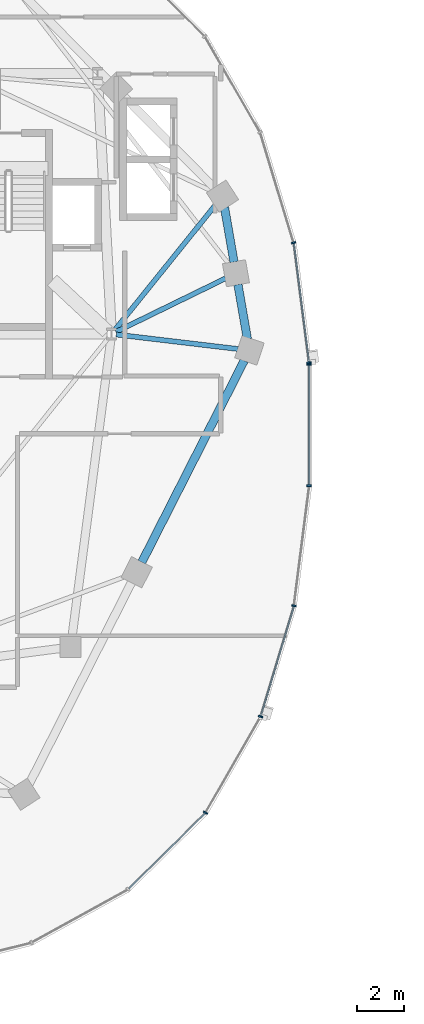
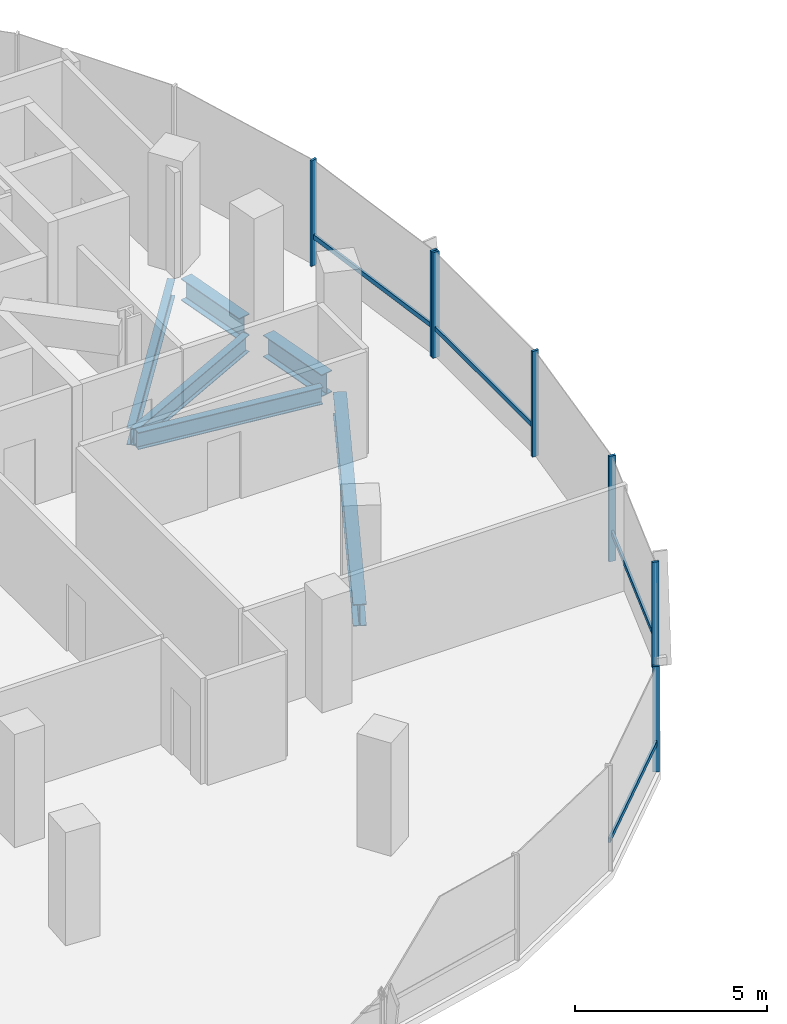
# One storey, part 4 of 22: 11 members, 6 beams, 2 elements without a shape of their own.
"""IFC4 building model written with IfcOpenShell, lengths in metres."""

from ifc_helpers import new_model, si_unit, direction, frame, origin, origin_2d, place, context, subcontext, project, spatial, rectangle, i_section, extrude, material, material_profile, profile_set, type_object, element, aggregate, save


model = new_model("IFC4")

# Units and contexts
model_context = context("Model", 3, precision=1e-05, world=origin(), true_north=direction((0.0, 1.0)))
body_context = subcontext(model_context, "Body", "Model", "MODEL_VIEW")
ifc_project = project(units=[si_unit("LENGTHUNIT", "METRE"), si_unit("AREAUNIT", "SQUARE_METRE"), si_unit("VOLUMEUNIT", "CUBIC_METRE"), si_unit("PLANEANGLEUNIT", "RADIAN"), si_unit("MASSUNIT", "GRAM", prefix="KILO"), si_unit("THERMODYNAMICTEMPERATUREUNIT", "KELVIN"), si_unit("POWERUNIT", "WATT")], contexts=[model_context])

# Site, building, storey
site_placement = place(None, origin())
site = spatial("IfcSite", under=ifc_project, at=site_placement, CompositionType="ELEMENT")
building_placement = place(site_placement, origin())
building = spatial("IfcBuilding", under=site, at=building_placement, Name="Cundina Bronze Exchange", CompositionType="ELEMENT")
storey_placement = place(building_placement, frame((0.0, 0.0, 154.800048828125)))
storey = spatial("IfcBuildingStorey", under=building, at=storey_placement, Name="L40", CompositionType="ELEMENT", Elevation=154.800048828125)

# Beams
ifc_material_1 = material(Name="Steel ASTM A992 Grade 50", Category="steel")
ifc_material_profile_1 = material_profile(ifc_material_1, i_section(OverallWidth=0.2119140625, OverallDepth=0.5439453125, WebThickness=0.01318359375, FlangeThickness=0.021240234375, FilletRadius=0.013916015625, at=origin_2d()), Name="W21X83", Category="steel")
ifc_profile_set_1 = profile_set([ifc_material_profile_1], Name="Steel ASTM A992 Grade 50")
beam_type_1 = type_object("IfcBeamType", Name="BM-FLR-W21A", PredefinedType="BEAM", material=ifc_profile_set_1)
beam_1_placement = place(storey_placement, frame((-21.247314453125, 3.8759765625, -0.511962890625), z_axis=(0.993036158382, -0.11780996624, 0.0), x_axis=(0.11780996624, 0.993036158382, 0.0)))
element("IfcBeam", 1, at=beam_1_placement, inside=storey, type_object=beam_type_1, Name="L40 Leg W Radial Floor Beam 00", PredefinedType="BEAM", context=body_context, shape_type="SweptSolid", body=[
    extrude(i_section(OverallWidth=0.2119140625, OverallDepth=0.5439453125, WebThickness=0.01318359375, FlangeThickness=0.021240234375, FilletRadius=0.013916015625, at=origin_2d()), origin(), (0.0, 0.0, 1.0), 5.249267578125),
])
beam_2_placement = place(storey_placement, frame((-21.2666015625, 3.989501953125, -0.511962890625), z_axis=(0.898604300669, 0.438759969481, 0.0), x_axis=(-0.438759969481, 0.898604300669, 0.0)))
element("IfcBeam", 2, at=beam_2_placement, inside=storey, type_object=beam_type_1, Name="L40 Leg W Radial Floor Beam 01", PredefinedType="BEAM", context=body_context, shape_type="SweptSolid", body=[
    extrude(i_section(OverallWidth=0.2119140625, OverallDepth=0.5439453125, WebThickness=0.01318359375, FlangeThickness=0.021240234375, FilletRadius=0.013916015625, at=origin_2d()), origin(), (0.0, 0.0, 1.0), 5.23388671875),
])
beam_3_placement = place(storey_placement, frame((-21.322021484375, 4.058837890625, -0.511962890625), z_axis=(0.627088684379, 0.778947868553, 0.0), x_axis=(-0.778947868553, 0.627088684379, 0.0)))
element("IfcBeam", 3, at=beam_3_placement, inside=storey, type_object=beam_type_1, Name="L40 Leg W Radial Floor Beam 02", PredefinedType="BEAM", context=body_context, shape_type="SweptSolid", body=[
    extrude(i_section(OverallWidth=0.2119140625, OverallDepth=0.5439453125, WebThickness=0.01318359375, FlangeThickness=0.021240234375, FilletRadius=0.013916015625, at=origin_2d()), origin(), (0.0, 0.0, 1.0), 6.882568359375),
])
ifc_material_profile_2 = material_profile(ifc_material_1, i_section(OverallWidth=0.35498046875, OverallDepth=0.695068359375, WebThickness=0.015380859375, FlangeThickness=0.02490234375, FilletRadius=0.01806640625, at=origin_2d()), Name="W27X146", Category="steel")
ifc_profile_set_2 = profile_set([ifc_material_profile_2], Name="Steel ASTM A992 Grade 50")
beam_type_2 = type_object("IfcBeamType", Name="BM-RING-W27", PredefinedType="USERDEFINED", material=ifc_profile_set_2)
for number, where, z_axis, x_axis, name in (
    (4, (-15.6337890625, 3.680908203125, -0.587646484375), (-0.171666718895, 0.985155083032, 0.0), (-0.985155083032, -0.171666718895, 0.0), "L40 W Perimeter Ring Girder 00"),
    (5, (-16.208740234375, 6.980712890625, -0.587646484375), (-0.171666718895, 0.985155083032, 0.0), (-0.985155083032, -0.171666718895, 0.0), "L40 W Perimeter Ring Girder 01"),
):
    element("IfcBeam", number, at=place(storey_placement, frame(where, z_axis=z_axis, x_axis=x_axis)), inside=storey, type_object=beam_type_2, Name=name, ObjectType="GIRDER", PredefinedType="USERDEFINED", context=body_context, shape_type="SweptSolid", body=[
        extrude(i_section(OverallWidth=0.35498046875, OverallDepth=0.695068359375, WebThickness=0.015380859375, FlangeThickness=0.02490234375, FilletRadius=0.01806640625, at=origin_2d()), origin(), (0.0, 0.0, 1.0), 2.37353515625),
    ])
beam_4_placement = place(storey_placement, frame((-20.154052734375, -5.864990234375, -0.587646484375), z_axis=(0.452834585354, 0.891594548159, 0.0), x_axis=(-0.891594548159, 0.452834585354, 0.0)))
element("IfcBeam", 6, at=beam_4_placement, inside=storey, type_object=beam_type_2, Name="L40 W Perimeter Ring Girder 13", ObjectType="GIRDER", PredefinedType="USERDEFINED", context=body_context, shape_type="SweptSolid", body=[
    extrude(i_section(OverallWidth=0.35498046875, OverallDepth=0.695068359375, WebThickness=0.015380859375, FlangeThickness=0.02490234375, FilletRadius=0.01806640625, at=origin_2d()), origin(), (0.0, 0.0, 1.0), 9.67919921875),
])

# Curtain wall, members
ifc_material_2 = material(Name="Anodised Bronze Aluminium 6063-T6", Category="aluminium")
curtain_wall_type = type_object("IfcCurtainWallType", Name="CWS-WST-PIN", PredefinedType="NOTDEFINED", material=ifc_material_2)
curtain_wall_1_placement = place(storey_placement, origin())
curtain_wall_1 = element("IfcCurtainWall", 7, at=curtain_wall_1_placement, inside=storey, type_object=curtain_wall_type, Name="L40 CW-04 Curtain Wall Run CWR-L40-W1", PredefinedType="NOTDEFINED")
ifc_material_profile_3 = material_profile(ifc_material_2, rectangle(XDim=0.070068359375, YDim=0.18994140625, at=origin_2d()), Name="AL70X190", Category="aluminium")
ifc_profile_set_3 = profile_set([ifc_material_profile_3], Name="Anodised Bronze Aluminium 6063-T6")
member_type_1 = type_object("IfcMemberType", Name="CWM-MUL-190", PredefinedType="MULLION", material=ifc_profile_set_3)
member_1_placement = place(storey_placement, frame((-12.998291015625, 2.676025390625, 0.0), z_axis=(0.0, 0.0, 1.0), x_axis=(-0.126545236492, 0.991960837494, 0.0)))
member_1 = element("IfcMember", 8, at=member_1_placement, type_object=member_type_1, Name="CW-04 Mullion 1", PredefinedType="MULLION", context=body_context, shape_type="SweptSolid", body=[
    extrude(rectangle(XDim=0.070068359375, YDim=0.18994140625, at=origin_2d()), origin(), (0.0, 0.0, 1.0), 3.35986328125),
])
member_2_placement = place(storey_placement, frame((-13.6591796875, 7.80859375, 0.0), z_axis=(0.0, 0.0, 1.0), x_axis=(-0.290034140915, 0.957016299288, 0.0)))
member_2 = element("IfcMember", 9, at=member_2_placement, type_object=member_type_1, Name="CW-04 Mullion 2", PredefinedType="MULLION", context=body_context, shape_type="SweptSolid", body=[
    extrude(rectangle(XDim=0.070068359375, YDim=0.18994140625, at=origin_2d()), origin(), (0.0, 0.0, 1.0), 3.35986328125),
])

curtain_wall_2_placement = place(storey_placement, origin())
curtain_wall_2 = element("IfcCurtainWall", 10, at=curtain_wall_2_placement, inside=storey, type_object=curtain_wall_type, Name="L40 CW-04 Curtain Wall Run CWR-L40-W4", PredefinedType="NOTDEFINED")
member_3_placement = place(storey_placement, frame((-17.42919921875, -16.588134765625, 0.0), z_axis=(0.0, 0.0, 1.0), x_axis=(0.498487739754, 0.866896748936, 0.0)))
member_3 = element("IfcMember", 11, at=member_3_placement, type_object=member_type_1, Name="CW-04 Mullion 4", PredefinedType="MULLION", context=body_context, shape_type="SweptSolid", body=[
    extrude(rectangle(XDim=0.070068359375, YDim=0.18994140625, at=origin_2d()), origin(), (0.0, 0.0, 1.0), 3.35986328125),
])
member_4_placement = place(storey_placement, frame((-15.07373046875, -12.4755859375, 0.0), z_axis=(0.0, 0.0, 1.0), x_axis=(0.290034140915, 0.957016299288, 0.0)))
member_4 = element("IfcMember", 12, at=member_4_placement, type_object=member_type_1, Name="CW-04 Mullion 5", PredefinedType="MULLION", context=body_context, shape_type="SweptSolid", body=[
    extrude(rectangle(XDim=0.070068359375, YDim=0.18994140625, at=origin_2d()), origin(), (0.0, 0.0, 1.0), 3.35986328125),
])
member_5_placement = place(storey_placement, frame((-13.642822265625, -7.731689453125, 0.0), z_axis=(0.0, 0.0, 1.0), x_axis=(0.126545236492, 0.991960837494, 0.0)))
member_5 = element("IfcMember", 13, at=member_5_placement, type_object=member_type_1, Name="CW-04 Mullion 6", PredefinedType="MULLION", context=body_context, shape_type="SweptSolid", body=[
    extrude(rectangle(XDim=0.070068359375, YDim=0.18994140625, at=origin_2d()), origin(), (0.0, 0.0, 1.0), 3.35986328125),
])
member_6_placement = place(storey_placement, frame((-12.992919921875, -2.593017578125, 0.0), z_axis=(0.0, 0.0, 1.0), x_axis=(0.0, 1.0, 0.0)))
member_6 = element("IfcMember", 14, at=member_6_placement, type_object=member_type_1, Name="CW-04 Mullion 7", PredefinedType="MULLION", context=body_context, shape_type="SweptSolid", body=[
    extrude(rectangle(XDim=0.070068359375, YDim=0.18994140625, at=origin_2d()), origin(), (0.0, 0.0, 1.0), 3.35986328125),
])
member_7_placement = place(storey_placement, frame((-12.992919921875, 2.593017578125, 0.0), z_axis=(0.0, 0.0, 1.0), x_axis=(0.0, 1.0, 0.0)))
member_7 = element("IfcMember", 15, at=member_7_placement, type_object=member_type_1, Name="CW-04 End Mullion", PredefinedType="MULLION", context=body_context, shape_type="SweptSolid", body=[
    extrude(rectangle(XDim=0.070068359375, YDim=0.18994140625, at=origin_2d()), origin(), (0.0, 0.0, 1.0), 3.35986328125),
])

# Member
ifc_material_profile_4 = material_profile(ifc_material_2, rectangle(XDim=0.06494140625, YDim=0.14990234375, at=origin_2d()), Name="AL65X150", Category="aluminium")
ifc_profile_set_4 = profile_set([ifc_material_profile_4], Name="Anodised Bronze Aluminium 6063-T6")
member_type_2 = type_object("IfcMemberType", Name="CWM-TRN-150", PredefinedType="USERDEFINED", material=ifc_profile_set_4)
member_8_placement = place(storey_placement, frame((-13.003173828125, 2.71435546875, 0.919921875), z_axis=(-0.12646340362, 0.991971273548, 0.0), x_axis=(-0.991971273548, -0.12646340362, 0.0)))
member_8 = element("IfcMember", 16, at=member_8_placement, type_object=member_type_2, Name="CW-04 Spandrel Transom 1", ObjectType="TRANSOM", PredefinedType="USERDEFINED", context=body_context, shape_type="SweptSolid", body=[
    extrude(rectangle(XDim=0.06494140625, YDim=0.14990234375, at=origin_2d()), origin(), (0.0, 0.0, 1.0), 5.0966796875),
])

aggregate(curtain_wall_1, [member_1, member_8, member_2])

member_9_placement = place(storey_placement, frame((-20.71337890625, -19.839599609375, 0.919921875), z_axis=(0.712005023839, 0.702174370102, 0.0), x_axis=(-0.702174370102, 0.712005023839, 0.0)))
member_9 = element("IfcMember", 17, at=member_9_placement, type_object=member_type_2, Name="CW-04 Spandrel Transom 3", ObjectType="TRANSOM", PredefinedType="USERDEFINED", context=body_context, shape_type="SweptSolid", body=[
    extrude(rectangle(XDim=0.06494140625, YDim=0.14990234375, at=origin_2d()), origin(), (0.0, 0.0, 1.0), 4.594482421875),
])

member_10_placement = place(storey_placement, frame((-15.062744140625, -12.43896484375, 0.919921875), z_axis=(0.290051855969, 0.957010930371, 0.0), x_axis=(-0.957010930371, 0.290051855969, 0.0)))
member_10 = element("IfcMember", 18, at=member_10_placement, type_object=member_type_2, Name="CW-04 Spandrel Transom 5", ObjectType="TRANSOM", PredefinedType="USERDEFINED", context=body_context, shape_type="SweptSolid", body=[
    extrude(rectangle(XDim=0.06494140625, YDim=0.14990234375, at=origin_2d()), origin(), (0.0, 0.0, 1.0), 4.876953125),
])

member_11_placement = place(storey_placement, frame((-12.992919921875, -2.554443359375, 0.919921875), z_axis=(0.0, 1.0, 0.0), x_axis=(-1.0, 0.0, 0.0)))
member_11 = element("IfcMember", 19, at=member_11_placement, type_object=member_type_2, Name="CW-04 Spandrel Transom 7", ObjectType="TRANSOM", PredefinedType="USERDEFINED", context=body_context, shape_type="SweptSolid", body=[
    extrude(rectangle(XDim=0.06494140625, YDim=0.14990234375, at=origin_2d()), origin(), (0.0, 0.0, 1.0), 5.10888671875),
])

aggregate(curtain_wall_2, [member_9, member_3, member_4, member_10, member_5, member_6, member_7, member_11])

save(model, "model.ifc")
